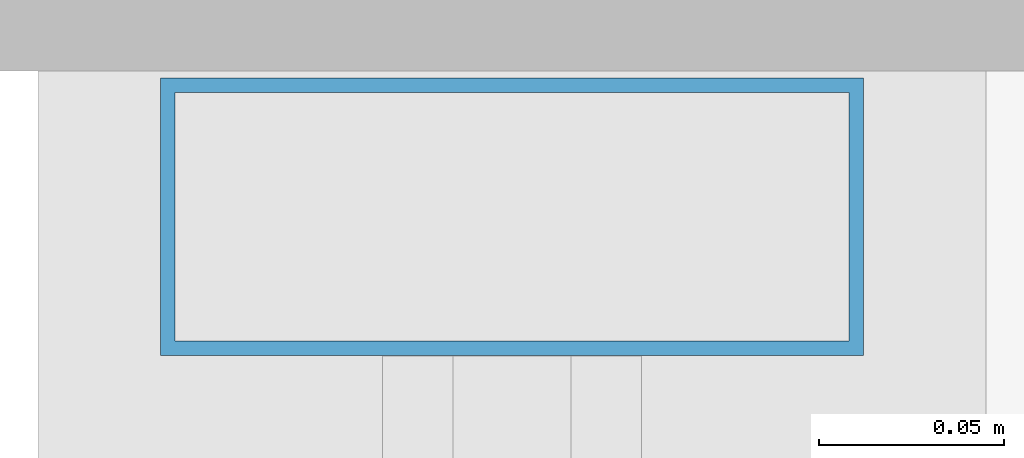
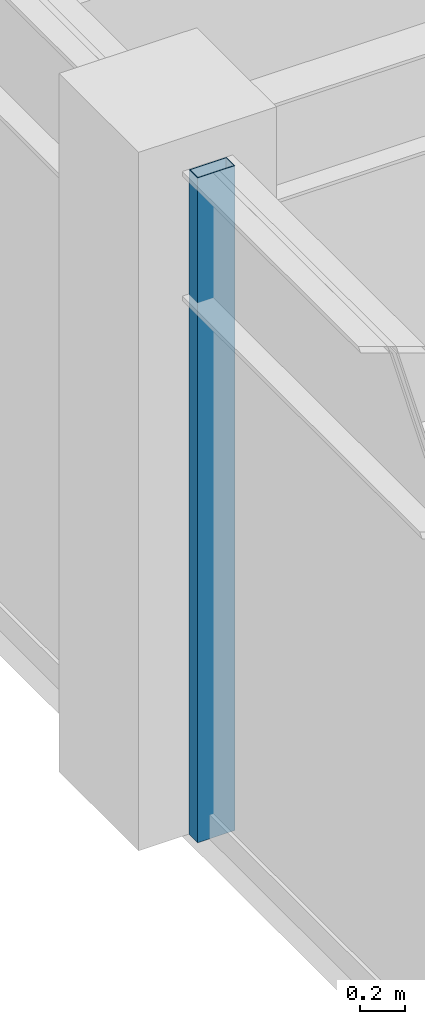
# One storey, part 8 of 30: 1 member, 1 element without a shape of its own.
"""IFC4 building model written with IfcOpenShell, lengths in metres."""

from ifc_helpers import new_model, si_unit, direction, frame, origin, origin_2d, place, context, subcontext, project, spatial, hollow_rectangle, extrude, material, layer, layer_set, material_profile, profile_set, type_object, element, aggregate, save


model = new_model("IFC4")

# Units and contexts
model_context = context("Model", 3, precision=1e-05, world=origin(), true_north=direction((0.0, 1.0)))
body_context = subcontext(model_context, "Body", "Model", "MODEL_VIEW")
ifc_project = project(units=[si_unit("LENGTHUNIT", "METRE"), si_unit("AREAUNIT", "SQUARE_METRE"), si_unit("VOLUMEUNIT", "CUBIC_METRE"), si_unit("PLANEANGLEUNIT", "RADIAN"), si_unit("MASSUNIT", "GRAM", prefix="KILO")], contexts=[model_context])

# Site, building, storey
site_placement = place(None, origin())
site = spatial("IfcSite", under=ifc_project, at=site_placement, CompositionType="ELEMENT")
building_placement = place(site_placement, origin())
building = spatial("IfcBuilding", under=site, at=building_placement, Name="Surkhivell Harbour Commons", CompositionType="ELEMENT")
storey_placement = place(building_placement, frame((0.0, 0.0, 300.0)))
storey = spatial("IfcBuildingStorey", under=building, at=storey_placement, Name="L78", CompositionType="ELEMENT", Elevation=300.0)

# Curtain wall, member
ifc_material_1 = material(Name="Anodised pale-metal aluminium and insulated glazing", Category="aluminium")
ifc_layer = layer(ifc_material_1, 0.175048828125)
ifc_layer_set = layer_set([ifc_layer], Name="Anodised pale-metal aluminium and insulated glazing")
curtain_wall_type = type_object("IfcCurtainWallType", Name="CW-SYS-Z4", PredefinedType="NOTDEFINED", material=ifc_layer_set)
curtain_wall_placement = place(storey_placement, origin())
curtain_wall = element("IfcCurtainWall", 1, at=curtain_wall_placement, inside=storey, type_object=curtain_wall_type, Name="L78 Curtain Wall CW-L78-E12S1", PredefinedType="NOTDEFINED")
ifc_material_2 = material(Name="Anodised pale-metal aluminium alloy 6063-T6", Category="aluminium")
ifc_material_profile = material_profile(ifc_material_2, hollow_rectangle(XDim=0.074951171875, YDim=0.18994140625, WallThickness=0.00390625, at=origin_2d()), Name="ALU-MULL-75x190")
ifc_profile_set = profile_set([ifc_material_profile], Name="Anodised pale-metal aluminium alloy 6063-T6")
member_type = type_object("IfcMemberType", Name="CWM-190", PredefinedType="MULLION", material=ifc_profile_set)
member_placement = place(storey_placement, frame((-27.0, -0.389404296875, 0.0), z_axis=(0.0, 0.0, 1.0), x_axis=(0.0, -1.0, 0.0)))
member = element("IfcMember", 2, at=member_placement, type_object=member_type, Name="CW-Z4 mullion 5", PredefinedType="MULLION", context=body_context, shape_type="SweptSolid", body=[
    extrude(hollow_rectangle(XDim=0.074951171875, YDim=0.18994140625, WallThickness=0.00390625, at=origin_2d()), origin(), (0.0, 0.0, 1.0), 3.570068359375),
])
aggregate(curtain_wall, [member])

save(model, "model.ifc")
